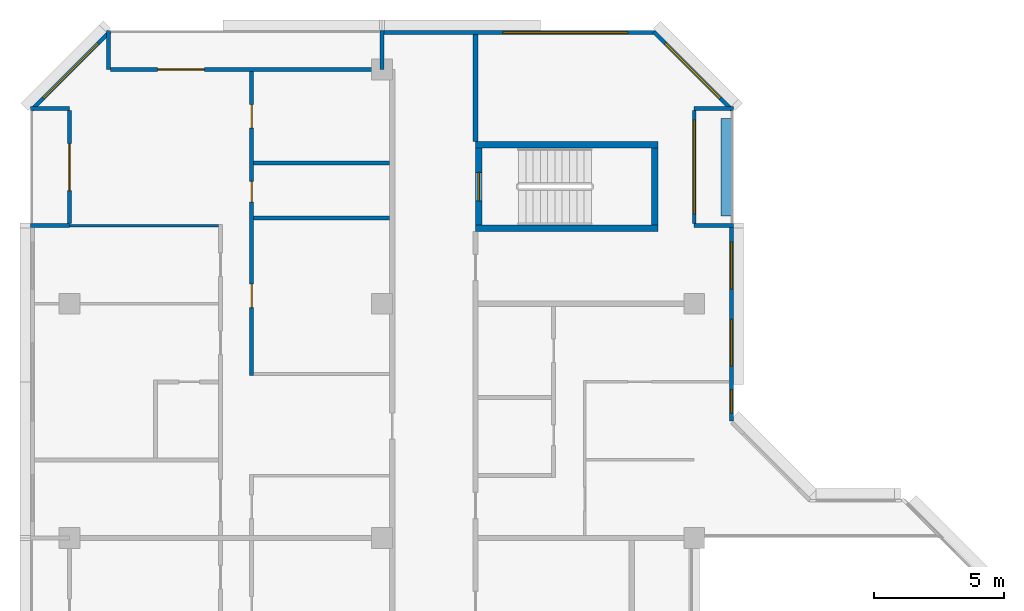
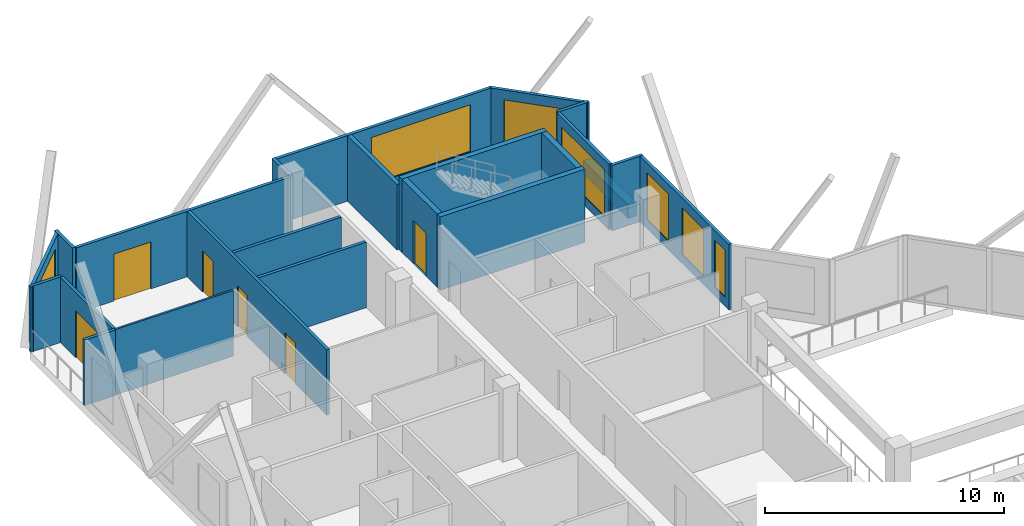
# One storey, part 10 of 13: 23 walls, 7 windows, 6 doors, 13 openings.
"""IFC4 building model written with IfcOpenShell, lengths in metres."""

from ifc_helpers import new_model, si_unit, direction, frame, frame_2d, origin, place, context, subcontext, project, spatial, rectangle, extrude, material, layer, layer_set, type_object, element, fill, save


model = new_model("IFC4")

# Units and contexts
model_context = context("Model", 3, precision=1e-05, world=origin(), true_north=direction((0.0, 1.0)))
body_context = subcontext(model_context, "Body", "Model", "MODEL_VIEW")
ifc_project = project(units=[si_unit("LENGTHUNIT", "METRE"), si_unit("AREAUNIT", "SQUARE_METRE"), si_unit("VOLUMEUNIT", "CUBIC_METRE"), si_unit("PLANEANGLEUNIT", "RADIAN"), si_unit("MASSUNIT", "GRAM", prefix="KILO")], contexts=[model_context])

# Site, building, storey
site_placement = place(None, origin())
site = spatial("IfcSite", under=ifc_project, at=site_placement, CompositionType="ELEMENT")
building_placement = place(site_placement, origin())
building = spatial("IfcBuilding", under=site, at=building_placement, Name="Chenar Terraces", CompositionType="ELEMENT")
storey_placement = place(building_placement, frame((0.0, 0.0, 303.39990234375)))
storey = spatial("IfcBuildingStorey", under=building, at=storey_placement, Name="L71", CompositionType="ELEMENT", Elevation=303.39990234375)

# Walls
ifc_material_1 = material(Name="Concrete C50/60", Category="concrete")
ifc_layer_1 = layer(ifc_material_1, 0.25)
ifc_layer_set_1 = layer_set([ifc_layer_1], Name="Concrete C50/60")
wall_type_1 = type_object("IfcWallType", Name="Core wall 250 Concrete C50/60", PredefinedType="SHEAR", material=ifc_layer_set_1)
for number, where, z_axis, x_axis, name in (
    (1, (15.60009765625, 47.89990234375, 0.0), (0.0, 0.0, 1.0), (1.0, 0.0, 0.0), "Core wall ST4_S L71"),
    (2, (15.60009765625, 51.10009765625, 0.0), (0.0, 0.0, 1.0), (1.0, 0.0, 0.0), "Core wall ST4_N L71"),
):
    element("IfcWall", number, at=place(storey_placement, frame(where, z_axis=z_axis, x_axis=x_axis)), inside=storey, type_object=wall_type_1, Name=name, PredefinedType="SHEAR", context=body_context, shape_type="SweptSolid", body=[
        extrude(rectangle(XDim=7.0, YDim=0.25, at=frame_2d((3.5, 0.0))), origin(), (0.0, 0.0, 1.0), 3.75),
    ])

# Wall, opening, door
wall_1_placement = place(storey_placement, frame((15.72509765625, 48.02490234375, 0.0), z_axis=(0.0, 0.0, 1.0), x_axis=(0.0, 1.0, 0.0)))
wall_1 = element("IfcWall", 3, at=wall_1_placement, inside=storey, type_object=wall_type_1, Name="Core wall ST4_W L71", PredefinedType="SHEAR", context=body_context, shape_type="SweptSolid", body=[
    extrude(rectangle(XDim=2.9501953125, YDim=0.25, at=frame_2d((1.47509765625, 0.0))), origin(), (0.0, 0.0, 1.0), 3.75),
])
opening_1_placement = place(wall_1_placement, frame((0.925048828125, 0.0, 0.0)))
opening_1 = element("IfcOpeningElement", 4, at=opening_1_placement, cuts=wall_1, Name="Opening DL71-C9", PredefinedType="OPENING", context=body_context, shape_type="SweptSolid", body=[
    extrude(rectangle(XDim=1.10009765625, YDim=2.199951171875, at=frame_2d((0.550048828125, 1.10009765625))), frame((0.0, 0.135009765625, 0.0), z_axis=(0.0, -1.0, 0.0), x_axis=(1.0, 0.0, 0.0)), (0.0, 0.0, 1.0), 0.27001953125),
])
ifc_material_2 = material(Name="Steel-framed fire-resisting door leaf", Category="steel")
door_type_1 = type_object("IfcDoorType", Name="Stair fire door FD60 1100 x 2200", OperationType="SINGLE_SWING_LEFT", PredefinedType="DOOR", material=ifc_material_2)
door_1_placement = place(opening_1_placement, frame((1.10009765625, 0.0, 0.0), z_axis=(0.0, 0.0, 1.0), x_axis=(-1.0, 0.0, 0.0)))
door_1 = element("IfcDoor", 5, at=door_1_placement, inside=storey, type_object=door_type_1, Name="Stair door DL71-C9", OperationType="SINGLE_SWING_RIGHT", OverallHeight=2.199951171875, OverallWidth=1.10009765625, PredefinedType="DOOR", context=body_context, shape_type="SweptSolid", body=[
    extrude(rectangle(XDim=1.10009765625, YDim=2.199951171875, at=frame_2d((0.550048828125, 1.10009765625))), frame((0.0, 0.02490234375, 0.0), z_axis=(0.0, -1.0, 0.0), x_axis=(1.0, 0.0, 0.0)), (0.0, 0.0, 1.0), 0.050048828125),
])
fill(opening_1, door_1)

# Walls
wall_2_placement = place(storey_placement, frame((22.47509765625, 48.02490234375, 0.0), z_axis=(0.0, 0.0, 1.0), x_axis=(0.0, 1.0, 0.0)))
element("IfcWall", 6, at=wall_2_placement, inside=storey, type_object=wall_type_1, Name="Core wall ST4_E L71", PredefinedType="SHEAR", context=body_context, shape_type="SweptSolid", body=[
    extrude(rectangle(XDim=2.9501953125, YDim=0.25, at=frame_2d((1.47509765625, 0.0))), origin(), (0.0, 0.0, 1.0), 3.75),
])
ifc_material_3 = material(Name="Gypsum board on steel studs with fire boards", Category="steel")
ifc_layer_2 = layer(ifc_material_3, 0.199951171875)
ifc_layer_set_2 = layer_set([ifc_layer_2], Name="Gypsum board on steel studs with fire boards")
wall_type_2 = type_object("IfcWallType", Name="Corridor wall 200", PredefinedType="PARTITIONING", material=ifc_layer_set_2)
wall_3_placement = place(storey_placement, frame((15.60009765625, 51.22509765625, 0.0), z_axis=(0.0, 0.0, 1.0), x_axis=(0.0, 1.0, 0.0)))
element("IfcWall", 7, at=wall_3_placement, inside=storey, type_object=wall_type_2, Name="Partition L71-034", PredefinedType="PARTITIONING", context=body_context, shape_type="SweptSolid", body=[
    extrude(rectangle(XDim=4.125, YDim=0.199951171875, at=frame_2d((2.0625, 0.0))), origin(), (0.0, 0.0, 1.0), 3.35009765625),
])

# Wall, openings, windows
ifc_material_4 = material(Name="Aluminium framed glazing", Category="aluminium")
ifc_layer_3 = layer(ifc_material_4, 0.14990234375)
ifc_layer_set_3 = layer_set([ifc_layer_3], Name="Aluminium framed glazing")
wall_type_3 = type_object("IfcWallType", Name="Glazed flush facade wall 150", PredefinedType="SOLIDWALL", material=ifc_layer_set_3)
wall_4_placement = place(storey_placement, frame((25.425048828125, 40.5, 0.0), z_axis=(0.0, 0.0, 1.0), x_axis=(0.0, 1.0, 0.0)))
wall_4 = element("IfcWall", 8, at=wall_4_placement, inside=storey, type_object=wall_type_3, Name="Glazed flush facade wall", PredefinedType="SOLIDWALL", context=body_context, shape_type="SweptSolid", body=[
    extrude(rectangle(XDim=7.425048828125, YDim=0.14990234375, at=frame_2d((3.71240234375, 0.0))), origin(), (0.0, 0.0, 1.0), 3.35009765625),
])
opening_2_placement = place(wall_4_placement, frame((0.300048828125, 0.0, 0.449951171875)))
opening_2 = element("IfcOpeningElement", 9, at=opening_2_placement, cuts=wall_4, Name="Opening W90x240", PredefinedType="OPENING", context=body_context, shape_type="SweptSolid", body=[
    extrude(rectangle(XDim=0.89990234375, YDim=2.39990234375, at=frame_2d((0.449951171875, 1.199951171875))), frame((0.0, 0.0849609375, 0.0), z_axis=(0.0, -1.0, 0.0), x_axis=(1.0, 0.0, 0.0)), (0.0, 0.0, 1.0), 0.169921875),
])
opening_3_placement = place(wall_4_placement, frame((2.10009765625, 0.0, 0.449951171875)))
opening_3 = element("IfcOpeningElement", 10, at=opening_3_placement, cuts=wall_4, Name="Opening W180x240", PredefinedType="OPENING", context=body_context, shape_type="SweptSolid", body=[
    extrude(rectangle(XDim=1.800048828125, YDim=2.39990234375, at=frame_2d((0.89990234375, 1.199951171875))), frame((0.0, 0.0849609375, 0.0), z_axis=(0.0, -1.0, 0.0), x_axis=(1.0, 0.0, 0.0)), (0.0, 0.0, 1.0), 0.169921875),
])
opening_4_placement = place(wall_4_placement, frame((5.0625, 0.0, 0.449951171875)))
opening_4 = element("IfcOpeningElement", 11, at=opening_4_placement, cuts=wall_4, Name="Opening W180x240", PredefinedType="OPENING", context=body_context, shape_type="SweptSolid", body=[
    extrude(rectangle(XDim=1.800048828125, YDim=2.39990234375, at=frame_2d((0.89990234375, 1.199951171875))), frame((0.0, 0.0849609375, 0.0), z_axis=(0.0, -1.0, 0.0), x_axis=(1.0, 0.0, 0.0)), (0.0, 0.0, 1.0), 0.169921875),
])
ifc_material_5 = material(Name="Low emissivity double glazing, aluminium frame", Category="aluminium")
window_type_1 = type_object("IfcWindowType", Name="Fixed light 1800 x 2400", PartitioningType="SINGLE_PANEL", PredefinedType="WINDOW", material=ifc_material_5)
window_1_placement = place(opening_3_placement, origin())
window_1 = element("IfcWindow", 12, at=window_1_placement, inside=storey, type_object=window_type_1, Name="Window", OverallHeight=2.39990234375, OverallWidth=1.800048828125, PartitioningType="SINGLE_PANEL", PredefinedType="WINDOW", context=body_context, shape_type="SweptSolid", body=[
    extrude(rectangle(XDim=1.800048828125, YDim=2.39990234375, at=frame_2d((0.89990234375, 1.199951171875))), frame((0.0, 0.030029296875, 0.0), z_axis=(0.0, -1.0, 0.0), x_axis=(1.0, 0.0, 0.0)), (0.0, 0.0, 1.0), 0.06005859375),
])
fill(opening_3, window_1)
window_2_placement = place(opening_4_placement, origin())
window_2 = element("IfcWindow", 13, at=window_2_placement, inside=storey, type_object=window_type_1, Name="Window", OverallHeight=2.39990234375, OverallWidth=1.800048828125, PartitioningType="SINGLE_PANEL", PredefinedType="WINDOW", context=body_context, shape_type="SweptSolid", body=[
    extrude(rectangle(XDim=1.800048828125, YDim=2.39990234375, at=frame_2d((0.89990234375, 1.199951171875))), frame((0.0, 0.030029296875, 0.0), z_axis=(0.0, -1.0, 0.0), x_axis=(1.0, 0.0, 0.0)), (0.0, 0.0, 1.0), 0.06005859375),
])
fill(opening_4, window_2)
ifc_material_6 = material(Name="Low emissivity double glazing, aluminium frame", Category="aluminium")
window_type_2 = type_object("IfcWindowType", Name="Fixed light 900 x 2400", PartitioningType="SINGLE_PANEL", PredefinedType="WINDOW", material=ifc_material_6)
window_3_placement = place(opening_2_placement, origin())
window_3 = element("IfcWindow", 14, at=window_3_placement, inside=storey, type_object=window_type_2, Name="Window", OverallHeight=2.39990234375, OverallWidth=0.89990234375, PartitioningType="SINGLE_PANEL", PredefinedType="WINDOW", context=body_context, shape_type="SweptSolid", body=[
    extrude(rectangle(XDim=0.89990234375, YDim=2.39990234375, at=frame_2d((0.449951171875, 1.199951171875))), frame((0.0, 0.030029296875, 0.0), z_axis=(0.0, -1.0, 0.0), x_axis=(1.0, 0.0, 0.0)), (0.0, 0.0, 1.0), 0.06005859375),
])
fill(opening_2, window_3)

# Wall, opening, window
wall_5_placement = place(storey_placement, frame((22.5, 55.425048828125, 0.0), z_axis=(0.0, 0.0, 1.0), x_axis=(-1.0, 0.0, 0.0)))
wall_5 = element("IfcWall", 15, at=wall_5_placement, inside=storey, type_object=wall_type_3, Name="Glazed flush facade wall", PredefinedType="SOLIDWALL", context=body_context, shape_type="SweptSolid", body=[
    extrude(rectangle(XDim=10.425048828125, YDim=0.14990234375, at=frame_2d((5.21240234375, 0.0))), origin(), (0.0, 0.0, 1.0), 3.35009765625),
])
opening_5_placement = place(wall_5_placement, frame((1.050048828125, 0.0, 0.449951171875)))
opening_5 = element("IfcOpeningElement", 16, at=opening_5_placement, cuts=wall_5, Name="Opening W480x240", PredefinedType="OPENING", context=body_context, shape_type="SweptSolid", body=[
    extrude(rectangle(XDim=4.800048828125, YDim=2.39990234375, at=frame_2d((2.39990234375, 1.199951171875))), frame((0.0, 0.0849609375, 0.0), z_axis=(0.0, -1.0, 0.0), x_axis=(1.0, 0.0, 0.0)), (0.0, 0.0, 1.0), 0.169921875),
])
ifc_material_7 = material(Name="Low emissivity double glazing, aluminium frame", Category="aluminium")
window_type_3 = type_object("IfcWindowType", Name="Fixed light 4800 x 2400", PartitioningType="SINGLE_PANEL", PredefinedType="WINDOW", material=ifc_material_7)
window_4_placement = place(opening_5_placement, origin())
window_4 = element("IfcWindow", 17, at=window_4_placement, inside=storey, type_object=window_type_3, Name="Window", OverallHeight=2.39990234375, OverallWidth=4.800048828125, PartitioningType="SINGLE_PANEL", PredefinedType="WINDOW", context=body_context, shape_type="SweptSolid", body=[
    extrude(rectangle(XDim=4.800048828125, YDim=2.39990234375, at=frame_2d((2.39990234375, 1.199951171875))), frame((0.0, 0.030029296875, 0.0), z_axis=(0.0, -1.0, 0.0), x_axis=(1.0, 0.0, 0.0)), (0.0, 0.0, 1.0), 0.06005859375),
])
fill(opening_5, window_4)

ifc_material_8 = material(Name="Aluminium framed glazing", Category="aluminium")
ifc_layer_4 = layer(ifc_material_8, 0.14990234375)
ifc_layer_set_4 = layer_set([ifc_layer_4], Name="Aluminium framed glazing")
wall_type_4 = type_object("IfcWallType", Name="Glazed loggia back wall 150", PredefinedType="SOLIDWALL", material=ifc_layer_set_4)
wall_6_placement = place(storey_placement, frame((24.0, 48.074951171875, 0.0), z_axis=(0.0, 0.0, 1.0), x_axis=(0.0, 1.0, 0.0)))
wall_6 = element("IfcWall", 18, at=wall_6_placement, inside=storey, type_object=wall_type_4, Name="Glazed loggia back wall", PredefinedType="SOLIDWALL", context=body_context, shape_type="SweptSolid", body=[
    extrude(rectangle(XDim=4.35009765625, YDim=0.14990234375, at=frame_2d((2.175048828125, 0.0))), origin(), (0.0, 0.0, 1.0), 3.35009765625),
])
opening_6_placement = place(wall_6_placement, frame((0.375, 0.0, 0.449951171875)))
opening_6 = element("IfcOpeningElement", 19, at=opening_6_placement, cuts=wall_6, Name="Opening W360x240", PredefinedType="OPENING", context=body_context, shape_type="SweptSolid", body=[
    extrude(rectangle(XDim=3.60009765625, YDim=2.39990234375, at=frame_2d((1.800048828125, 1.199951171875))), frame((0.0, 0.0849609375, 0.0), z_axis=(0.0, -1.0, 0.0), x_axis=(1.0, 0.0, 0.0)), (0.0, 0.0, 1.0), 0.169921875),
])
ifc_material_9 = material(Name="Low emissivity double glazing, aluminium frame", Category="aluminium")
window_type_4 = type_object("IfcWindowType", Name="Fixed light 3600 x 2400", PartitioningType="SINGLE_PANEL", PredefinedType="WINDOW", material=ifc_material_9)
window_5_placement = place(opening_6_placement, origin())
window_5 = element("IfcWindow", 20, at=window_5_placement, inside=storey, type_object=window_type_4, Name="Window", OverallHeight=2.39990234375, OverallWidth=3.60009765625, PartitioningType="SINGLE_PANEL", PredefinedType="WINDOW", context=body_context, shape_type="SweptSolid", body=[
    extrude(rectangle(XDim=3.60009765625, YDim=2.39990234375, at=frame_2d((1.800048828125, 1.199951171875))), frame((0.0, 0.030029296875, 0.0), z_axis=(0.0, -1.0, 0.0), x_axis=(1.0, 0.0, 0.0)), (0.0, 0.0, 1.0), 0.06005859375),
])
fill(opening_6, window_5)

# Wall, opening, door
wall_7_placement = place(storey_placement, frame((11.925048828125, 54.0, 0.0), z_axis=(0.0, 0.0, 1.0), x_axis=(-1.0, 0.0, 0.0)))
wall_7 = element("IfcWall", 21, at=wall_7_placement, inside=storey, type_object=wall_type_4, Name="Glazed loggia back wall", PredefinedType="SOLIDWALL", context=body_context, shape_type="SweptSolid", body=[
    extrude(rectangle(XDim=10.35009765625, YDim=0.14990234375, at=frame_2d((5.175048828125, 0.0))), origin(), (0.0, 0.0, 1.0), 3.35009765625),
])
opening_7_placement = place(wall_7_placement, frame((6.737548828125, 0.0, 0.0)))
opening_7 = element("IfcOpeningElement", 22, at=opening_7_placement, cuts=wall_7, Name="Opening DL71-G2", PredefinedType="OPENING", context=body_context, shape_type="SweptSolid", body=[
    extrude(rectangle(XDim=1.800048828125, YDim=2.39990234375, at=frame_2d((0.89990234375, 1.199951171875))), frame((0.0, 0.0849609375, 0.0), z_axis=(0.0, -1.0, 0.0), x_axis=(1.0, 0.0, 0.0)), (0.0, 0.0, 1.0), 0.169921875),
])
ifc_material_10 = material(Name="Low emissivity double glazing, aluminium frame", Category="aluminium")
door_type_2 = type_object("IfcDoorType", Name="Loggia glazed double door 1800 x 2400", OperationType="DOUBLE_DOOR_SINGLE_SWING", PredefinedType="DOOR", material=ifc_material_10)
door_2_placement = place(opening_7_placement, frame((1.800048828125, 0.0, 0.0), z_axis=(0.0, 0.0, 1.0), x_axis=(-1.0, 0.0, 0.0)))
door_2 = element("IfcDoor", 23, at=door_2_placement, inside=storey, type_object=door_type_2, Name="Loggia glazed door", OperationType="DOUBLE_DOOR_SINGLE_SWING", OverallHeight=2.39990234375, OverallWidth=1.800048828125, PredefinedType="DOOR", context=body_context, shape_type="SweptSolid", body=[
    extrude(rectangle(XDim=1.800048828125, YDim=2.39990234375, at=frame_2d((0.89990234375, 1.199951171875))), frame((0.0, 0.02490234375, 0.0), z_axis=(0.0, -1.0, 0.0), x_axis=(1.0, 0.0, 0.0)), (0.0, 0.0, 1.0), 0.050048828125),
])
fill(opening_7, door_2)

wall_8_placement = place(storey_placement, frame((0.0, 52.425048828125, 0.0), z_axis=(0.0, 0.0, 1.0), x_axis=(0.0, -1.0, 0.0)))
wall_8 = element("IfcWall", 24, at=wall_8_placement, inside=storey, type_object=wall_type_4, Name="Glazed loggia back wall", PredefinedType="SOLIDWALL", context=body_context, shape_type="SweptSolid", body=[
    extrude(rectangle(XDim=4.35009765625, YDim=0.14990234375, at=frame_2d((2.175048828125, 0.0))), origin(), (0.0, 0.0, 1.0), 3.35009765625),
])
opening_8_placement = place(wall_8_placement, frame((1.27490234375, 0.0, 0.0)))
opening_8 = element("IfcOpeningElement", 25, at=opening_8_placement, cuts=wall_8, Name="Opening DL71-G3", PredefinedType="OPENING", context=body_context, shape_type="SweptSolid", body=[
    extrude(rectangle(XDim=1.800048828125, YDim=2.39990234375, at=frame_2d((0.89990234375, 1.199951171875))), frame((0.0, 0.0849609375, 0.0), z_axis=(0.0, -1.0, 0.0), x_axis=(1.0, 0.0, 0.0)), (0.0, 0.0, 1.0), 0.169921875),
])
door_3_placement = place(opening_8_placement, frame((1.800048828125, 0.0, 0.0), z_axis=(0.0, 0.0, 1.0), x_axis=(-1.0, 0.0, 0.0)))
door_3 = element("IfcDoor", 26, at=door_3_placement, inside=storey, type_object=door_type_2, Name="Loggia glazed door", OperationType="DOUBLE_DOOR_SINGLE_SWING", OverallHeight=2.39990234375, OverallWidth=1.800048828125, PredefinedType="DOOR", context=body_context, shape_type="SweptSolid", body=[
    extrude(rectangle(XDim=1.800048828125, YDim=2.39990234375, at=frame_2d((0.89990234375, 1.199951171875))), frame((0.0, 0.02490234375, 0.0), z_axis=(0.0, -1.0, 0.0), x_axis=(1.0, 0.0, 0.0)), (0.0, 0.0, 1.0), 0.050048828125),
])
fill(opening_8, door_3)

# Walls
ifc_material_11 = material(Name="Gypsum board on steel studs", Category="steel")
ifc_layer_5 = layer(ifc_material_11, 0.10009765625)
ifc_layer_set_5 = layer_set([ifc_layer_5], Name="Gypsum board on steel studs")
wall_type_5 = type_object("IfcWallType", Name="Gypsum partition 100", PredefinedType="PARTITIONING", material=ifc_layer_set_5)
wall_9_placement = place(storey_placement, frame((0.0, 48.0, 0.0), z_axis=(0.0, 0.0, 1.0), x_axis=(1.0, 0.0, 0.0)))
element("IfcWall", 27, at=wall_9_placement, inside=storey, type_object=wall_type_5, Name="Partition L71-006", PredefinedType="PARTITIONING", context=body_context, shape_type="SweptSolid", body=[
    extrude(rectangle(XDim=5.72509765625, YDim=0.10009765625, at=frame_2d((2.862548828125, 0.0))), origin(), (0.0, 0.0, 1.0), 3.35009765625),
])
ifc_material_12 = material(Name="Terracotta cladding on insulated backing", Category="masonry")
ifc_layer_6 = layer(ifc_material_12, 0.14990234375)
ifc_layer_set_6 = layer_set([ifc_layer_6], Name="Terracotta cladding on insulated backing")
wall_type_6 = type_object("IfcWallType", Name="Loggia return wall 150", PredefinedType="SOLIDWALL", material=ifc_layer_set_6)
for number, where, z_axis, x_axis, name in (
    (28, (25.5, 48.0, 0.0), (0.0, 0.0, 1.0), (-1.0, 0.0, 0.0), "Loggia return wall"),
    (29, (25.5, 52.5, 0.0), (0.0, 0.0, 1.0), (-1.0, 0.0, 0.0), "Loggia return wall"),
    (30, (12.0, 55.5, 0.0), (0.0, 0.0, 1.0), (0.0, -1.0, 0.0), "Loggia return wall"),
    (31, (1.5, 55.5, 0.0), (0.0, 0.0, 1.0), (0.0, -1.0, 0.0), "Loggia return wall"),
    (32, (-1.5, 52.5, 0.0), (0.0, 0.0, 1.0), (1.0, 0.0, 0.0), "Loggia return wall"),
    (33, (-1.5, 48.0, 0.0), (0.0, 0.0, 1.0), (1.0, 0.0, 0.0), "Loggia return wall"),
):
    element("IfcWall", number, at=place(storey_placement, frame(where, z_axis=z_axis, x_axis=x_axis)), inside=storey, type_object=wall_type_6, Name=name, PredefinedType="SOLIDWALL", context=body_context, shape_type="SweptSolid", body=[
        extrude(rectangle(XDim=1.5, YDim=0.14990234375, at=frame_2d((0.75, 0.0))), origin(), (0.0, 0.0, 1.0), 3.35009765625),
    ])

# Wall, opening, window
ifc_material_13 = material(Name="Terracotta cladding on insulated backing", Category="masonry")
ifc_layer_7 = layer(ifc_material_13, 0.14990234375)
ifc_layer_set_7 = layer_set([ifc_layer_7], Name="Terracotta cladding on insulated backing")
wall_type_7 = type_object("IfcWallType", Name="Terracotta rainscreen wall 150", PredefinedType="SOLIDWALL", material=ifc_layer_set_7)
wall_10_placement = place(storey_placement, frame((25.447021484375, 52.447021484375, 0.0), z_axis=(0.0, 0.0, 1.0), x_axis=(-0.707106781187, 0.707106781187, 0.0)))
wall_10 = element("IfcWall", 34, at=wall_10_placement, inside=storey, type_object=wall_type_7, Name="Terracotta rainscreen wall", PredefinedType="SOLIDWALL", context=body_context, shape_type="SweptSolid", body=[
    extrude(rectangle(XDim=4.24267578125, YDim=0.14990234375, at=frame_2d((2.121337890625, 0.0))), origin(), (0.0, 0.0, 1.0), 3.35009765625),
])
opening_9_placement = place(wall_10_placement, frame((0.621337890625, 0.0, 0.449951171875)))
opening_9 = element("IfcOpeningElement", 35, at=opening_9_placement, cuts=wall_10, Name="Opening W300x240", PredefinedType="OPENING", context=body_context, shape_type="SweptSolid", body=[
    extrude(rectangle(XDim=3.0, YDim=2.39990234375, at=frame_2d((1.5, 1.199951171875))), frame((0.0, 0.0849609375, 0.0), z_axis=(0.0, -1.0, 0.0), x_axis=(1.0, 0.0, 0.0)), (0.0, 0.0, 1.0), 0.169921875),
])
ifc_material_14 = material(Name="Low emissivity double glazing, aluminium frame", Category="aluminium")
window_type_5 = type_object("IfcWindowType", Name="Fixed light 3000 x 2400", PartitioningType="SINGLE_PANEL", PredefinedType="WINDOW", material=ifc_material_14)
window_6_placement = place(opening_9_placement, origin())
window_6 = element("IfcWindow", 36, at=window_6_placement, inside=storey, type_object=window_type_5, Name="Window", OverallHeight=2.39990234375, OverallWidth=3.0, PartitioningType="SINGLE_PANEL", PredefinedType="WINDOW", context=body_context, shape_type="SweptSolid", body=[
    extrude(rectangle(XDim=3.0, YDim=2.39990234375, at=frame_2d((1.5, 1.199951171875))), frame((0.0, 0.030029296875, 0.0), z_axis=(0.0, -1.0, 0.0), x_axis=(1.0, 0.0, 0.0)), (0.0, 0.0, 1.0), 0.06005859375),
])
fill(opening_9, window_6)

wall_11_placement = place(storey_placement, frame((1.552978515625, 55.447021484375, 0.0), z_axis=(0.0, 0.0, 1.0), x_axis=(-0.707106781187, -0.707106781187, 0.0)))
wall_11 = element("IfcWall", 37, at=wall_11_placement, inside=storey, type_object=wall_type_7, Name="Terracotta rainscreen wall", PredefinedType="SOLIDWALL", context=body_context, shape_type="SweptSolid", body=[
    extrude(rectangle(XDim=4.24267578125, YDim=0.14990234375, at=frame_2d((2.121337890625, 0.0))), origin(), (0.0, 0.0, 1.0), 3.35009765625),
])
opening_10_placement = place(wall_11_placement, frame((0.621337890625, 0.0, 0.449951171875)))
opening_10 = element("IfcOpeningElement", 38, at=opening_10_placement, cuts=wall_11, Name="Opening W300x240", PredefinedType="OPENING", context=body_context, shape_type="SweptSolid", body=[
    extrude(rectangle(XDim=3.0, YDim=2.39990234375, at=frame_2d((1.5, 1.199951171875))), frame((0.0, 0.0849609375, 0.0), z_axis=(0.0, -1.0, 0.0), x_axis=(1.0, 0.0, 0.0)), (0.0, 0.0, 1.0), 0.169921875),
])
window_7_placement = place(opening_10_placement, origin())
window_7 = element("IfcWindow", 39, at=window_7_placement, inside=storey, type_object=window_type_5, Name="Window", OverallHeight=2.39990234375, OverallWidth=3.0, PartitioningType="SINGLE_PANEL", PredefinedType="WINDOW", context=body_context, shape_type="SweptSolid", body=[
    extrude(rectangle(XDim=3.0, YDim=2.39990234375, at=frame_2d((1.5, 1.199951171875))), frame((0.0, 0.030029296875, 0.0), z_axis=(0.0, -1.0, 0.0), x_axis=(1.0, 0.0, 0.0)), (0.0, 0.0, 1.0), 0.06005859375),
])
fill(opening_10, window_7)

# Wall
ifc_material_15 = material(Name="GRP planter trough")
ifc_layer_8 = layer(ifc_material_15, 0.39990234375)
ifc_layer_set_8 = layer_set([ifc_layer_8], Name="GRP planter trough")
wall_type_8 = type_object("IfcWallType", Name="Vertical greenery planter 400", PredefinedType="SOLIDWALL", material=ifc_layer_set_8)
wall_12_placement = place(storey_placement, frame((25.22900390625, 48.375, 0.0), z_axis=(0.0, 0.0, 1.0), x_axis=(0.0, 1.0, 0.0)))
element("IfcWall", 40, at=wall_12_placement, inside=storey, type_object=wall_type_8, Name="Vertical greenery planter", PredefinedType="SOLIDWALL", context=body_context, shape_type="SweptSolid", body=[
    extrude(rectangle(XDim=3.75, YDim=0.39990234375, at=frame_2d((1.875, 0.0))), origin(), (0.0, 0.0, 1.0), 0.7001953125),
])

# Wall, openings, doors
ifc_material_16 = material(Name="Moisture-resistant gypsum board on steel studs", Category="steel")
ifc_layer_9 = layer(ifc_material_16, 0.14990234375)
ifc_layer_set_9 = layer_set([ifc_layer_9], Name="Moisture-resistant gypsum board on steel studs")
wall_type_9 = type_object("IfcWallType", Name="Wet-room partition 150", PredefinedType="PARTITIONING", material=ifc_layer_set_9)
wall_13_placement = place(storey_placement, frame((7.0, 42.25, 0.0), z_axis=(0.0, 0.0, 1.0), x_axis=(0.0, 1.0, 0.0)))
wall_13 = element("IfcWall", 41, at=wall_13_placement, inside=storey, type_object=wall_type_9, Name="Partition L71-019", PredefinedType="PARTITIONING", context=body_context, shape_type="SweptSolid", body=[
    extrude(rectangle(XDim=11.676025390625, YDim=0.14990234375, at=frame_2d((5.837890625, 0.0))), origin(), (0.0, 0.0, 1.0), 3.35009765625),
])
opening_11_placement = place(wall_13_placement, frame((6.64990234375, 0.0, 0.0)))
opening_11 = element("IfcOpeningElement", 42, at=opening_11_placement, cuts=wall_13, Name="Opening DL71-20", PredefinedType="OPENING", context=body_context, shape_type="SweptSolid", body=[
    extrude(rectangle(XDim=0.800048828125, YDim=2.10009765625, at=frame_2d((0.39990234375, 1.050048828125))), frame((0.0, 0.0849609375, 0.0), z_axis=(0.0, -1.0, 0.0), x_axis=(1.0, 0.0, 0.0)), (0.0, 0.0, 1.0), 0.169921875),
])
opening_12_placement = place(wall_13_placement, frame((2.60009765625, 0.0, 0.0)))
opening_12 = element("IfcOpeningElement", 43, at=opening_12_placement, cuts=wall_13, Name="Opening DL71-24", PredefinedType="OPENING", context=body_context, shape_type="SweptSolid", body=[
    extrude(rectangle(XDim=0.89990234375, YDim=2.10009765625, at=frame_2d((0.449951171875, 1.050048828125))), frame((0.0, 0.0849609375, 0.0), z_axis=(0.0, -1.0, 0.0), x_axis=(1.0, 0.0, 0.0)), (0.0, 0.0, 1.0), 0.169921875),
])
opening_13_placement = place(wall_13_placement, frame((9.5, 0.0, 0.0)))
opening_13 = element("IfcOpeningElement", 44, at=opening_13_placement, cuts=wall_13, Name="Opening DL71-28", PredefinedType="OPENING", context=body_context, shape_type="SweptSolid", body=[
    extrude(rectangle(XDim=0.89990234375, YDim=2.10009765625, at=frame_2d((0.449951171875, 1.050048828125))), frame((0.0, 0.0849609375, 0.0), z_axis=(0.0, -1.0, 0.0), x_axis=(1.0, 0.0, 0.0)), (0.0, 0.0, 1.0), 0.169921875),
])
ifc_material_17 = material(Name="Veneered timber door leaf", Category="wood")
door_type_3 = type_object("IfcDoorType", Name="Door 800 x 2100", OperationType="SINGLE_SWING_LEFT", PredefinedType="DOOR", material=ifc_material_17)
door_4_placement = place(opening_11_placement, frame((0.800048828125, 0.0, 0.0), z_axis=(0.0, 0.0, 1.0), x_axis=(-1.0, 0.0, 0.0)))
door_4 = element("IfcDoor", 45, at=door_4_placement, inside=storey, type_object=door_type_3, Name="Door DL71-20", OperationType="SINGLE_SWING_RIGHT", OverallHeight=2.10009765625, OverallWidth=0.800048828125, PredefinedType="DOOR", context=body_context, shape_type="SweptSolid", body=[
    extrude(rectangle(XDim=0.800048828125, YDim=2.10009765625, at=frame_2d((0.39990234375, 1.050048828125))), frame((0.0, 0.02490234375, 0.0), z_axis=(0.0, -1.0, 0.0), x_axis=(1.0, 0.0, 0.0)), (0.0, 0.0, 1.0), 0.050048828125),
])
fill(opening_11, door_4)
ifc_material_18 = material(Name="Veneered timber door leaf", Category="wood")
door_type_4 = type_object("IfcDoorType", Name="Door 900 x 2100", OperationType="SINGLE_SWING_LEFT", PredefinedType="DOOR", material=ifc_material_18)
door_5_placement = place(opening_12_placement, frame((0.89990234375, 0.0, 0.0), z_axis=(0.0, 0.0, 1.0), x_axis=(-1.0, 0.0, 0.0)))
door_5 = element("IfcDoor", 46, at=door_5_placement, inside=storey, type_object=door_type_4, Name="Door DL71-24", OperationType="SINGLE_SWING_LEFT", OverallHeight=2.10009765625, OverallWidth=0.89990234375, PredefinedType="DOOR", context=body_context, shape_type="SweptSolid", body=[
    extrude(rectangle(XDim=0.89990234375, YDim=2.10009765625, at=frame_2d((0.449951171875, 1.050048828125))), frame((0.0, 0.02490234375, 0.0), z_axis=(0.0, -1.0, 0.0), x_axis=(1.0, 0.0, 0.0)), (0.0, 0.0, 1.0), 0.050048828125),
])
fill(opening_12, door_5)
door_6_placement = place(opening_13_placement, frame((0.89990234375, 0.0, 0.0), z_axis=(0.0, 0.0, 1.0), x_axis=(-1.0, 0.0, 0.0)))
door_6 = element("IfcDoor", 47, at=door_6_placement, inside=storey, type_object=door_type_4, Name="Door DL71-28", OperationType="SINGLE_SWING_RIGHT", OverallHeight=2.10009765625, OverallWidth=0.89990234375, PredefinedType="DOOR", context=body_context, shape_type="SweptSolid", body=[
    extrude(rectangle(XDim=0.89990234375, YDim=2.10009765625, at=frame_2d((0.449951171875, 1.050048828125))), frame((0.0, 0.02490234375, 0.0), z_axis=(0.0, -1.0, 0.0), x_axis=(1.0, 0.0, 0.0)), (0.0, 0.0, 1.0), 0.050048828125),
])
fill(opening_13, door_6)

# Walls
for number, where, z_axis, x_axis, name in (
    (48, (7.074951171875, 48.300048828125, 0.0), (0.0, 0.0, 1.0), (1.0, 0.0, 0.0), "Partition L71-024"),
    (49, (7.074951171875, 50.39990234375, 0.0), (0.0, 0.0, 1.0), (1.0, 0.0, 0.0), "Partition L71-025"),
):
    element("IfcWall", number, at=place(storey_placement, frame(where, z_axis=z_axis, x_axis=x_axis)), inside=storey, type_object=wall_type_9, Name=name, PredefinedType="PARTITIONING", context=body_context, shape_type="SweptSolid", body=[
        extrude(rectangle(XDim=5.22509765625, YDim=0.14990234375, at=frame_2d((2.612548828125, 0.0))), origin(), (0.0, 0.0, 1.0), 3.35009765625),
    ])

save(model, "model.ifc")
